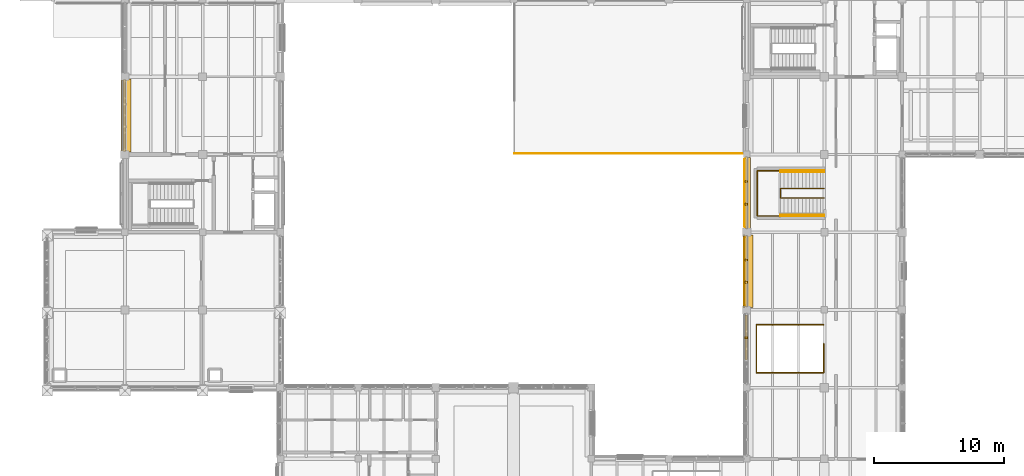
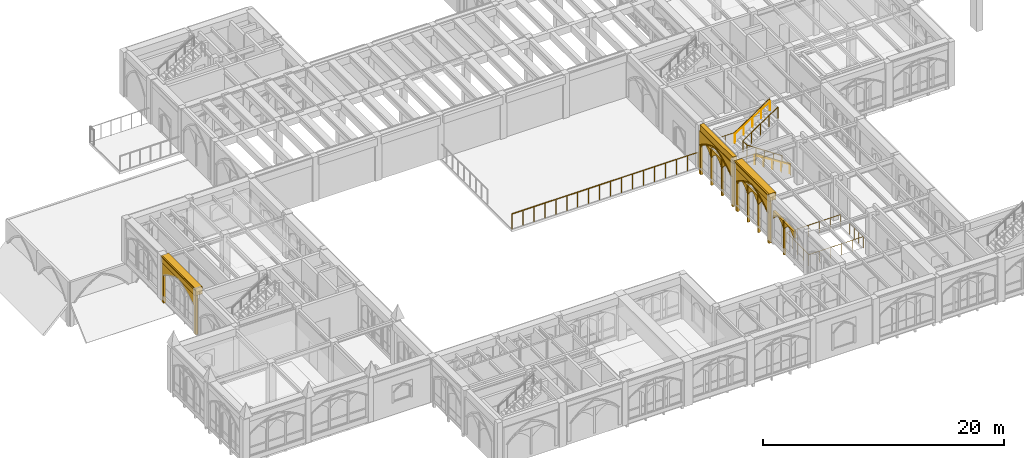
# One storey, part 95 of 127: 23 coverings, 8 railings.
"""IFC4 building model written with IfcOpenShell, lengths in metres."""

from ifc_helpers import new_model, si_unit, direction, frame, origin, origin_2d, place, context, subcontext, project, spatial, polyline, rectangle, circle, outline, extrude, material, type_object, element, save


model = new_model("IFC4")

# Units and contexts
model_context = context("Model", 3, precision=1e-05, world=origin(), true_north=direction((0.0, 1.0)))
body_context = subcontext(model_context, "Body", "Model", "MODEL_VIEW")
ifc_project = project(units=[si_unit("LENGTHUNIT", "METRE"), si_unit("AREAUNIT", "SQUARE_METRE"), si_unit("VOLUMEUNIT", "CUBIC_METRE"), si_unit("PLANEANGLEUNIT", "RADIAN"), si_unit("MASSUNIT", "GRAM", prefix="KILO")], contexts=[model_context])

# Site, building, storey
site_placement = place(None, origin())
site = spatial("IfcSite", under=ifc_project, at=site_placement, CompositionType="ELEMENT")
building_placement = place(site_placement, origin())
building = spatial("IfcBuilding", under=site, at=building_placement, Name="Cumevento Cable Car Station", CompositionType="ELEMENT")
storey_placement = place(building_placement, frame((0.0, 0.0, 4.5)))
storey = spatial("IfcBuildingStorey", under=building, at=storey_placement, Name="L02", CompositionType="ELEMENT", Elevation=4.5)

# Railings
ifc_material_1 = material(Name="Painted Galvanised Architectural Steel", Category="steel")
railing_type_1 = type_object("IfcRailingType", Name="Stair Guardrail GR-S115", PredefinedType="GUARDRAIL", material=ifc_material_1)
railing_1_placement = place(storey_placement, frame((63.949951171875, 18.389892578125, 0.0)))
element("IfcRailing", 1, at=railing_1_placement, inside=storey, type_object=railing_type_1, Name="Stairwell Opening Rim Guard ST-09 L02", PredefinedType="GUARDRAIL", context=body_context, shape_type="SweptSolid", body=[
    extrude(circle(Radius=0.02392578125, at=origin_2d()), frame((0.0, 0.0, 1.1259765625), z_axis=(0.0, -1.0, 0.0), x_axis=(1.0, 0.0, 0.0)), (0.0, 0.0, 1.0), 2.239990234375),
    extrude(circle(Radius=0.02392578125, at=origin_2d()), frame((0.0, -2.239990234375, 1.1259765625), z_axis=(-1.0, 0.0, 0.0), x_axis=(0.0, -1.0, 0.0)), (0.0, 0.0, 1.0), 5.199951171875),
    extrude(circle(Radius=0.02392578125, at=origin_2d()), frame((-5.199951171875, -2.239990234375, 1.1259765625), z_axis=(0.0, 1.0, 0.0), x_axis=(-1.0, 0.0, 0.0)), (0.0, 0.0, 1.0), 3.7001953125),
    extrude(circle(Radius=0.02392578125, at=origin_2d()), frame((-5.199951171875, 1.460205078125, 1.1259765625), z_axis=(1.0, 0.0, 0.0), x_axis=(0.0, 1.0, 0.0)), (0.0, 0.0, 1.0), 5.199951171875),
    extrude(circle(Radius=0.02001953125, at=origin_2d()), origin(), (0.0, 0.0, 1.0), 1.101806640625),
    extrude(circle(Radius=0.02001953125, at=origin_2d()), frame((0.0, -0.74658203125, 0.0)), (0.0, 0.0, 1.0), 1.101806640625),
    extrude(circle(Radius=0.02001953125, at=origin_2d()), frame((0.0, -1.493408203125, 0.0)), (0.0, 0.0, 1.0), 1.101806640625),
    extrude(circle(Radius=0.02001953125, at=origin_2d()), frame((0.0, -2.239990234375, 0.0)), (0.0, 0.0, 1.0), 1.101806640625),
    extrude(circle(Radius=0.02001953125, at=origin_2d()), frame((-1.0400390625, -2.239990234375, 0.0)), (0.0, 0.0, 1.0), 1.101806640625),
    extrude(circle(Radius=0.02001953125, at=origin_2d()), frame((-2.080078125, -2.239990234375, 0.0)), (0.0, 0.0, 1.0), 1.101806640625),
    extrude(circle(Radius=0.02001953125, at=origin_2d()), frame((-3.119873046875, -2.239990234375, 0.0)), (0.0, 0.0, 1.0), 1.101806640625),
    extrude(circle(Radius=0.02001953125, at=origin_2d()), frame((-4.159912109375, -2.239990234375, 0.0)), (0.0, 0.0, 1.0), 1.101806640625),
    extrude(circle(Radius=0.02001953125, at=origin_2d()), frame((-5.199951171875, -2.239990234375, 0.0)), (0.0, 0.0, 1.0), 1.101806640625),
    extrude(circle(Radius=0.02001953125, at=origin_2d()), frame((-5.199951171875, -1.31494140625, 0.0)), (0.0, 0.0, 1.0), 1.101806640625),
    extrude(circle(Radius=0.02001953125, at=origin_2d()), frame((-5.199951171875, -0.389892578125, 0.0)), (0.0, 0.0, 1.0), 1.101806640625),
    extrude(circle(Radius=0.02001953125, at=origin_2d()), frame((-5.199951171875, 0.53515625, 0.0)), (0.0, 0.0, 1.0), 1.101806640625),
    extrude(circle(Radius=0.02001953125, at=origin_2d()), frame((-5.199951171875, 1.460205078125, 0.0)), (0.0, 0.0, 1.0), 1.101806640625),
    extrude(circle(Radius=0.02001953125, at=origin_2d()), frame((-4.159912109375, 1.460205078125, 0.0)), (0.0, 0.0, 1.0), 1.101806640625),
    extrude(circle(Radius=0.02001953125, at=origin_2d()), frame((-3.119873046875, 1.460205078125, 0.0)), (0.0, 0.0, 1.0), 1.101806640625),
    extrude(circle(Radius=0.02001953125, at=origin_2d()), frame((-2.080078125, 1.460205078125, 0.0)), (0.0, 0.0, 1.0), 1.101806640625),
    extrude(circle(Radius=0.02001953125, at=origin_2d()), frame((-1.0400390625, 1.460205078125, 0.0)), (0.0, 0.0, 1.0), 1.101806640625),
    extrude(circle(Radius=0.02001953125, at=origin_2d()), frame((0.0, 1.460205078125, 0.0)), (0.0, 0.0, 1.0), 1.101806640625),
])
railing_2_placement = place(storey_placement, frame((63.97998046875, 29.639892578125, 0.0)))
element("IfcRailing", 2, at=railing_2_placement, inside=storey, type_object=railing_type_1, Name="Stair Well Inner Guardrail ST-10", PredefinedType="GUARDRAIL", context=body_context, shape_type="SweptSolid", body=[
    extrude(circle(Radius=0.02392578125, at=origin_2d()), frame((0.0, 0.0, 1.1259765625), z_axis=(-0.830896709279, 0.0, 0.556426687452), x_axis=(0.0, -1.0, 0.0)), (0.0, 0.0, 1.0), 4.043701171875),
    extrude(circle(Radius=0.02392578125, at=origin_2d()), frame((-3.35986328125, 0.0, 3.3759765625), z_axis=(0.0, 1.0, 0.0), x_axis=(-1.0, 0.0, 0.0)), (0.0, 0.0, 1.0), 0.72021484375),
    extrude(circle(Radius=0.02392578125, at=origin_2d()), frame((-3.35986328125, 0.72021484375, 3.3759765625), z_axis=(0.830896709279, 0.0, 0.556426687452), x_axis=(0.0, 1.0, 0.0)), (0.0, 0.0, 1.0), 4.043701171875),
    extrude(circle(Radius=0.02001953125, at=origin_2d()), origin(), (0.0, 0.0, 1.0), 1.101806640625),
    extrude(circle(Radius=0.02001953125, at=origin_2d()), frame((-0.83984375, 0.0, 0.5625)), (0.0, 0.0, 1.0), 1.101806640625),
    extrude(circle(Radius=0.02001953125, at=origin_2d()), frame((-1.679931640625, 0.0, 1.125)), (0.0, 0.0, 1.0), 1.101806640625),
    extrude(circle(Radius=0.02001953125, at=origin_2d()), frame((-2.52001953125, 0.0, 1.6875)), (0.0, 0.0, 1.0), 1.101806640625),
    extrude(circle(Radius=0.02001953125, at=origin_2d()), frame((-3.35986328125, 0.0, 2.25)), (0.0, 0.0, 1.0), 1.101806640625),
    extrude(circle(Radius=0.02001953125, at=origin_2d()), frame((-3.35986328125, 0.72021484375, 2.25)), (0.0, 0.0, 1.0), 1.101806640625),
    extrude(circle(Radius=0.02001953125, at=origin_2d()), frame((-2.52001953125, 0.72021484375, 2.8125)), (0.0, 0.0, 1.0), 1.101806640625),
    extrude(circle(Radius=0.02001953125, at=origin_2d()), frame((-1.679931640625, 0.72021484375, 3.375)), (0.0, 0.0, 1.0), 1.101806640625),
    extrude(circle(Radius=0.02001953125, at=origin_2d()), frame((-0.83984375, 0.72021484375, 3.9375)), (0.0, 0.0, 1.0), 1.101806640625),
    extrude(circle(Radius=0.02001953125, at=origin_2d()), frame((0.0, 0.72021484375, 4.5)), (0.0, 0.0, 1.0), 1.101806640625),
])
railing_3_placement = place(storey_placement, frame((60.6201171875, 28.260009765625, 2.25)))
element("IfcRailing", 3, at=railing_3_placement, inside=storey, type_object=railing_type_1, Name="Stair Half-Landing Guardrail ST-10", PredefinedType="GUARDRAIL", context=body_context, shape_type="SweptSolid", body=[
    extrude(circle(Radius=0.02392578125, at=origin_2d()), frame((0.0, 0.0, 1.1259765625), z_axis=(-1.0, 0.0, 0.0), x_axis=(0.0, -1.0, 0.0)), (0.0, 0.0, 1.0), 1.800048828125),
    extrude(circle(Radius=0.02392578125, at=origin_2d()), frame((-1.800048828125, 0.0, 1.1259765625), z_axis=(0.0, 1.0, 0.0), x_axis=(-1.0, 0.0, 0.0)), (0.0, 0.0, 1.0), 3.47998046875),
    extrude(circle(Radius=0.02392578125, at=origin_2d()), frame((-1.800048828125, 3.47998046875, 1.1259765625), z_axis=(1.0, 0.0, 0.0), x_axis=(0.0, 1.0, 0.0)), (0.0, 0.0, 1.0), 1.800048828125),
    extrude(circle(Radius=0.02001953125, at=origin_2d()), origin(), (0.0, 0.0, 1.0), 1.101806640625),
    extrude(circle(Radius=0.02001953125, at=origin_2d()), frame((-0.89990234375, 0.0, 0.0)), (0.0, 0.0, 1.0), 1.101806640625),
    extrude(circle(Radius=0.02001953125, at=origin_2d()), frame((-1.800048828125, 0.0, 0.0)), (0.0, 0.0, 1.0), 1.101806640625),
    extrude(circle(Radius=0.02001953125, at=origin_2d()), frame((-1.800048828125, 0.8701171875, 0.0)), (0.0, 0.0, 1.0), 1.101806640625),
    extrude(circle(Radius=0.02001953125, at=origin_2d()), frame((-1.800048828125, 1.739990234375, 0.0)), (0.0, 0.0, 1.0), 1.101806640625),
    extrude(circle(Radius=0.02001953125, at=origin_2d()), frame((-1.800048828125, 2.60986328125, 0.0)), (0.0, 0.0, 1.0), 1.101806640625),
    extrude(circle(Radius=0.02001953125, at=origin_2d()), frame((-1.800048828125, 3.47998046875, 0.0)), (0.0, 0.0, 1.0), 1.101806640625),
    extrude(circle(Radius=0.02001953125, at=origin_2d()), frame((-0.89990234375, 3.47998046875, 0.0)), (0.0, 0.0, 1.0), 1.101806640625),
    extrude(circle(Radius=0.02001953125, at=origin_2d()), frame((0.0, 3.47998046875, 0.0)), (0.0, 0.0, 1.0), 1.101806640625),
])
railing_4_placement = place(storey_placement, frame((63.97998046875, 28.260009765625, 0.0)))
element("IfcRailing", 4, at=railing_4_placement, inside=storey, type_object=railing_type_1, Name="Stair Outer Guardrail ST-10 F1", PredefinedType="GUARDRAIL", context=body_context, shape_type="SweptSolid", body=[
    extrude(circle(Radius=0.02392578125, at=origin_2d()), frame((0.0, 0.0, 1.1259765625), z_axis=(-0.830896709279, 0.0, 0.556426687452), x_axis=(0.0, -1.0, 0.0)), (0.0, 0.0, 1.0), 4.043701171875),
    extrude(circle(Radius=0.02001953125, at=origin_2d()), origin(), (0.0, 0.0, 1.0), 1.101806640625),
    extrude(circle(Radius=0.02001953125, at=origin_2d()), frame((-0.83984375, 0.0, 0.5625)), (0.0, 0.0, 1.0), 1.101806640625),
    extrude(circle(Radius=0.02001953125, at=origin_2d()), frame((-1.679931640625, 0.0, 1.125)), (0.0, 0.0, 1.0), 1.101806640625),
    extrude(circle(Radius=0.02001953125, at=origin_2d()), frame((-2.52001953125, 0.0, 1.6875)), (0.0, 0.0, 1.0), 1.101806640625),
    extrude(circle(Radius=0.02001953125, at=origin_2d()), frame((-3.35986328125, 0.0, 2.25)), (0.0, 0.0, 1.0), 1.101806640625),
])
railing_5_placement = place(storey_placement, frame((60.6201171875, 31.739990234375, 2.25)))
element("IfcRailing", 5, at=railing_5_placement, inside=storey, type_object=railing_type_1, Name="Stair Outer Guardrail ST-10 F2", PredefinedType="GUARDRAIL", context=body_context, shape_type="SweptSolid", body=[
    extrude(circle(Radius=0.02392578125, at=origin_2d()), frame((0.0, 0.0, 1.1259765625), z_axis=(0.830896709279, 0.0, 0.556426687452), x_axis=(0.0, 1.0, 0.0)), (0.0, 0.0, 1.0), 4.043701171875),
    extrude(circle(Radius=0.02001953125, at=origin_2d()), origin(), (0.0, 0.0, 1.0), 1.101806640625),
    extrude(circle(Radius=0.02001953125, at=origin_2d()), frame((0.83984375, 0.0, 0.5625)), (0.0, 0.0, 1.0), 1.101806640625),
    extrude(circle(Radius=0.02001953125, at=origin_2d()), frame((1.679931640625, 0.0, 1.125)), (0.0, 0.0, 1.0), 1.101806640625),
    extrude(circle(Radius=0.02001953125, at=origin_2d()), frame((2.52001953125, 0.0, 1.6875)), (0.0, 0.0, 1.0), 1.101806640625),
    extrude(circle(Radius=0.02001953125, at=origin_2d()), frame((3.35986328125, 0.0, 2.25)), (0.0, 0.0, 1.0), 1.101806640625),
])
ifc_material_2 = material(Name="Brushed Stainless Steel Handrail Tube", Category="steel")
railing_type_2 = type_object("IfcRailingType", Name="Stair Handrail HR-090", PredefinedType="HANDRAIL", material=ifc_material_2)
railing_6_placement = place(storey_placement, frame((63.97998046875, 28.340087890625, 0.17626953125)))
element("IfcRailing", 6, at=railing_6_placement, inside=storey, type_object=railing_type_2, Name="Stair Pitch Handrail ST-10 F1", PredefinedType="HANDRAIL", context=body_context, shape_type="SweptSolid", body=[
    extrude(circle(Radius=0.02099609375, at=origin_2d()), frame((0.0, 0.0, 0.87890625), z_axis=(-0.850606129759, 0.0, 0.525803396734), x_axis=(0.0, -1.0, 0.0)), (0.0, 0.0, 1.0), 3.949951171875),
    extrude(circle(Radius=0.01611328125, at=origin_2d()), origin(), (0.0, 0.0, 1.0), 0.85791015625),
    extrude(circle(Radius=0.01611328125, at=origin_2d()), frame((-0.83984375, 0.0, 0.519287109375)), (0.0, 0.0, 1.0), 0.85791015625),
    extrude(circle(Radius=0.01611328125, at=origin_2d()), frame((-1.679931640625, 0.0, 1.03857421875)), (0.0, 0.0, 1.0), 0.85791015625),
    extrude(circle(Radius=0.01611328125, at=origin_2d()), frame((-2.52001953125, 0.0, 1.5576171875)), (0.0, 0.0, 1.0), 0.85791015625),
    extrude(circle(Radius=0.01611328125, at=origin_2d()), frame((-3.35986328125, 0.0, 2.076904296875)), (0.0, 0.0, 1.0), 0.85791015625),
])
railing_7_placement = place(storey_placement, frame((60.6201171875, 31.659912109375, 2.42626953125)))
element("IfcRailing", 7, at=railing_7_placement, inside=storey, type_object=railing_type_2, Name="Stair Pitch Handrail ST-10 F2", PredefinedType="HANDRAIL", context=body_context, shape_type="SweptSolid", body=[
    extrude(circle(Radius=0.02099609375, at=origin_2d()), frame((0.0, 0.0, 0.87890625), z_axis=(0.850606129759, 0.0, 0.525803396734), x_axis=(0.0, 1.0, 0.0)), (0.0, 0.0, 1.0), 3.949951171875),
    extrude(circle(Radius=0.01611328125, at=origin_2d()), origin(), (0.0, 0.0, 1.0), 0.85791015625),
    extrude(circle(Radius=0.01611328125, at=origin_2d()), frame((0.83984375, 0.0, 0.519287109375)), (0.0, 0.0, 1.0), 0.85791015625),
    extrude(circle(Radius=0.01611328125, at=origin_2d()), frame((1.679931640625, 0.0, 1.03857421875)), (0.0, 0.0, 1.0), 0.85791015625),
    extrude(circle(Radius=0.01611328125, at=origin_2d()), frame((2.52001953125, 0.0, 1.5576171875)), (0.0, 0.0, 1.0), 0.85791015625),
    extrude(circle(Radius=0.01611328125, at=origin_2d()), frame((3.35986328125, 0.0, 2.076904296875)), (0.0, 0.0, 1.0), 0.85791015625),
])
ifc_material_3 = material(Name="Painted Galvanised Architectural Steel", Category="steel")
railing_type_3 = type_object("IfcRailingType", Name="Terrace Guardrail GR-T155 1550", PredefinedType="GUARDRAIL", material=ifc_material_3)
railing_8_placement = place(storey_placement, frame((40.080078125, 33.080078125, 0.0)))
element("IfcRailing", 8, at=railing_8_placement, inside=storey, type_object=railing_type_3, Name="Panoramic Terrace Guardrail GR-T155 #12", PredefinedType="GUARDRAIL", context=body_context, shape_type="SweptSolid", body=[
    extrude(circle(Radius=0.02685546875, at=origin_2d()), frame((0.0, 0.0, 1.52294921875), z_axis=(1.0, 0.0, 0.0), x_axis=(0.0, 1.0, 0.0)), (0.0, 0.0, 1.0), 17.83984375),
    extrude(circle(Radius=0.02099609375, at=origin_2d()), origin(), (0.0, 0.0, 1.0), 1.49609375),
    extrude(circle(Radius=0.02099609375, at=origin_2d()), frame((1.04931640625, 0.0, 0.0)), (0.0, 0.0, 1.0), 1.49609375),
    extrude(circle(Radius=0.02099609375, at=origin_2d()), frame((2.098876953125, 0.0, 0.0)), (0.0, 0.0, 1.0), 1.49609375),
    extrude(circle(Radius=0.02099609375, at=origin_2d()), frame((3.148193359375, 0.0, 0.0)), (0.0, 0.0, 1.0), 1.49609375),
    extrude(circle(Radius=0.02099609375, at=origin_2d()), frame((4.197509765625, 0.0, 0.0)), (0.0, 0.0, 1.0), 1.49609375),
    extrude(circle(Radius=0.02099609375, at=origin_2d()), frame((5.2470703125, 0.0, 0.0)), (0.0, 0.0, 1.0), 1.49609375),
    extrude(circle(Radius=0.02099609375, at=origin_2d()), frame((6.29638671875, 0.0, 0.0)), (0.0, 0.0, 1.0), 1.49609375),
    extrude(circle(Radius=0.02099609375, at=origin_2d()), frame((7.345703125, 0.0, 0.0)), (0.0, 0.0, 1.0), 1.49609375),
    extrude(circle(Radius=0.02099609375, at=origin_2d()), frame((8.395263671875, 0.0, 0.0)), (0.0, 0.0, 1.0), 1.49609375),
    extrude(circle(Radius=0.02099609375, at=origin_2d()), frame((9.444580078125, 0.0, 0.0)), (0.0, 0.0, 1.0), 1.49609375),
    extrude(circle(Radius=0.02099609375, at=origin_2d()), frame((10.494140625, 0.0, 0.0)), (0.0, 0.0, 1.0), 1.49609375),
    extrude(circle(Radius=0.02099609375, at=origin_2d()), frame((11.54345703125, 0.0, 0.0)), (0.0, 0.0, 1.0), 1.49609375),
    extrude(circle(Radius=0.02099609375, at=origin_2d()), frame((12.5927734375, 0.0, 0.0)), (0.0, 0.0, 1.0), 1.49609375),
    extrude(circle(Radius=0.02099609375, at=origin_2d()), frame((13.642333984375, 0.0, 0.0)), (0.0, 0.0, 1.0), 1.49609375),
    extrude(circle(Radius=0.02099609375, at=origin_2d()), frame((14.691650390625, 0.0, 0.0)), (0.0, 0.0, 1.0), 1.49609375),
    extrude(circle(Radius=0.02099609375, at=origin_2d()), frame((15.740966796875, 0.0, 0.0)), (0.0, 0.0, 1.0), 1.49609375),
    extrude(circle(Radius=0.02099609375, at=origin_2d()), frame((16.79052734375, 0.0, 0.0)), (0.0, 0.0, 1.0), 1.49609375),
    extrude(circle(Radius=0.02099609375, at=origin_2d()), frame((17.83984375, 0.0, 0.0)), (0.0, 0.0, 1.0), 1.49609375),
])

# Coverings
ifc_material_4 = material(Name="Gnaisse Facoidal Stone Ashlar 85 MPa", Category="masonry")
covering_type = type_object("IfcCoveringType", Name="Gnaisse Ashlar Cladding CV-CL01", PredefinedType="CLADDING", material=ifc_material_4)
covering_1_placement = place(storey_placement, frame((58.14990234375, 23.987548828125, 3.77294921875), z_axis=(0.0, 0.0, 1.0), x_axis=(0.0, 1.0, 0.0)))
element("IfcCovering", 9, at=covering_1_placement, inside=storey, type_object=covering_type, Name="Gothic Stone Spandrel Stringcourse sc:0321", PredefinedType="CLADDING", context=body_context, shape_type="SweptSolid", body=[
    extrude(rectangle(XDim=5.614990234375, YDim=0.659912109375, at=origin_2d()), origin(), (0.0, 0.0, 1.0), 0.7470703125),
])
covering_2_placement = place(storey_placement, frame((57.79248046875, 23.987548828125, 4.39013671875), z_axis=(0.0, 0.0, 1.0), x_axis=(0.0, 1.0, 0.0)))
element("IfcCovering", 10, at=covering_2_placement, inside=storey, type_object=covering_type, Name="Gothic Cornice Dripstone Lip sc:0321", PredefinedType="CLADDING", context=body_context, shape_type="SweptSolid", body=[
    extrude(rectangle(XDim=5.655029296875, YDim=0.114990234375, at=origin_2d()), origin(), (0.0, 0.0, 1.0), 0.1298828125),
])
covering_3_placement = place(storey_placement, frame((58.090087890625, 30.03759765625, 3.77294921875), z_axis=(0.0, 0.0, 1.0), x_axis=(0.0, 1.0, 0.0)))
element("IfcCovering", 11, at=covering_3_placement, inside=storey, type_object=covering_type, Name="Gothic Stone Spandrel Stringcourse sc:0322", PredefinedType="CLADDING", context=body_context, shape_type="SweptSolid", body=[
    extrude(rectangle(XDim=5.485107421875, YDim=0.3798828125, at=origin_2d()), origin(), (0.0, 0.0, 1.0), 0.7470703125),
])
covering_4_placement = place(storey_placement, frame((10.14990234375, 36.012451171875, 3.718017578125), z_axis=(0.0, 0.0, 1.0), x_axis=(0.0, 1.0, 0.0)))
element("IfcCovering", 12, at=covering_4_placement, inside=storey, type_object=covering_type, Name="Gothic Stone Spandrel Stringcourse sc:0346", PredefinedType="CLADDING", context=body_context, shape_type="SweptSolid", body=[
    extrude(rectangle(XDim=5.614990234375, YDim=0.659912109375, at=origin_2d()), origin(), (0.0, 0.0, 1.0), 0.7470703125),
])
covering_5_placement = place(storey_placement, frame((9.79248046875, 36.012451171875, 4.3349609375), z_axis=(0.0, 0.0, 1.0), x_axis=(0.0, 1.0, 0.0)))
element("IfcCovering", 13, at=covering_5_placement, inside=storey, type_object=covering_type, Name="Gothic Cornice Dripstone Lip sc:0346", PredefinedType="CLADDING", context=body_context, shape_type="SweptSolid", body=[
    extrude(rectangle(XDim=5.655029296875, YDim=0.114990234375, at=origin_2d()), origin(), (0.0, 0.0, 1.0), 0.1298828125),
])
covering_6_placement = place(storey_placement, frame((58.0, 15.27490234375, -0.219970703125), z_axis=(0.0, 0.0, 1.0), x_axis=(0.0, 1.0, 0.0)))
element("IfcCovering", 14, at=covering_6_placement, inside=storey, type_object=covering_type, Name="Gothic Bifora Stone Colonnette cw_ogival:0038 #2", PredefinedType="CLADDING", context=body_context, shape_type="SweptSolid", body=[
    extrude(outline(polyline([(3.513427734375, -0.02001953125), (3.663330078125, -0.02001953125), (3.663330078125, 3.40771484375), (3.513427734375, 3.40771484375), (3.513427734375, -0.02001953125)])), frame((0.0, 0.1279296875, 0.0), z_axis=(0.0, -1.0, 0.0), x_axis=(1.0, 0.0, 0.0)), (0.0, 0.0, 1.0), 0.205078125),
])
for number, where, z_axis, x_axis, name in (
    (15, (58.0, 17.15673828125, 2.438720703125), (0.0, 0.0, 1.0), (0.0, 1.0, 0.0), "Gothic Ogival Pointed-Arch Stone Spandrel cw_ogival:0038:sub:1"),
    (16, (58.0, 18.908447265625, 2.438720703125), (0.0, 0.0, 1.0), (0.0, 1.0, 0.0), "Gothic Ogival Pointed-Arch Stone Spandrel cw_ogival:0038:sub:2"),
):
    element("IfcCovering", number, at=place(storey_placement, frame(where, z_axis=z_axis, x_axis=x_axis)), inside=storey, type_object=covering_type, Name=name, PredefinedType="CLADDING", context=body_context, shape_type="SweptSolid", body=[
        extrude(outline(polyline([(-0.02001953125, 0.0), (-0.02001953125, 0.7490234375), (1.681640625, 0.7490234375), (1.681640625, 0.0), (1.62158203125, 0.0), (1.519287109375, 0.136962890625), (1.4033203125, 0.262939453125), (1.275146484375, 0.3759765625), (1.135986328125, 0.4755859375), (0.9873046875, 0.56005859375), (0.830810546875, 0.62890625), (0.67431640625, 0.56005859375), (0.525634765625, 0.4755859375), (0.386474609375, 0.3759765625), (0.25830078125, 0.262939453125), (0.142333984375, 0.136962890625), (0.0400390625, 0.0), (-0.02001953125, 0.0)])), frame((0.0, 0.1240234375, 0.0), z_axis=(0.0, -1.0, 0.0), x_axis=(1.0, 0.0, 0.0)), (0.0, 0.0, 1.0), 0.199951171875),
    ])
placement_1 = place(storey_placement, frame((58.0, 21.300048828125, -0.52001953125), z_axis=(0.0, 0.0, 1.0), x_axis=(0.0, 1.0, 0.0)))
element("IfcCovering", 17, at=placement_1, inside=storey, type_object=covering_type, Name="Gothic Ogival Pointed-Arch Stone Spandrel cw_ogival:0040", PredefinedType="CLADDING", context=body_context, shape_type="SweptSolid", body=[
    extrude(outline(polyline([(-0.080078125, 0.0), (-0.080078125, 4.43310546875), (5.455078125, 4.43310546875), (5.455078125, 0.0), (5.215087890625, 0.0), (5.215087890625, 3.03076171875), (4.928955078125, 3.236328125), (4.632568359375, 3.4267578125), (4.326904296875, 3.60205078125), (4.012939453125, 3.761474609375), (3.69091796875, 3.904541015625), (3.3623046875, 4.031005859375), (3.02734375, 4.140625), (2.6875, 4.233154296875), (2.34765625, 4.140625), (2.0126953125, 4.031005859375), (1.68408203125, 3.904541015625), (1.362060546875, 3.761474609375), (1.048095703125, 3.60205078125), (0.742431640625, 3.4267578125), (0.446044921875, 3.236328125), (0.159912109375, 3.03076171875), (0.159912109375, 0.0), (-0.080078125, 0.0)])), frame((0.0, 0.139892578125, 0.0), z_axis=(0.0, -1.0, 0.0), x_axis=(1.0, 0.0, 0.0)), (0.0, 0.0, 1.0), 0.219970703125),
])
covering_8_placement = place(storey_placement, frame((58.0, 21.300048828125, 2.5107421875), z_axis=(0.0, 0.0, 1.0), x_axis=(0.0, 1.0, 0.0)))
element("IfcCovering", 18, at=covering_8_placement, inside=storey, type_object=covering_type, Name="Gothic Pointed Archivolt Hood Moulding cw_ogival:0040", PredefinedType="CLADDING", context=body_context, shape_type="SweptSolid", body=[
    extrude(outline(polyline([(0.159912109375, 0.0), (0.446044921875, 0.20556640625), (0.742431640625, 0.39599609375), (1.048095703125, 0.5712890625), (1.362060546875, 0.730712890625), (1.68408203125, 0.873779296875), (2.0126953125, 1.000244140625), (2.34765625, 1.10986328125), (2.6875, 1.202392578125), (3.02734375, 1.10986328125), (3.3623046875, 1.000244140625), (3.69091796875, 0.873779296875), (4.012939453125, 0.730712890625), (4.326904296875, 0.5712890625), (4.632568359375, 0.39599609375), (4.928955078125, 0.20556640625), (5.215087890625, 0.0), (5.324951171875, 0.0), (5.030517578125, 0.228271484375), (4.723876953125, 0.440185546875), (4.406494140625, 0.63525390625), (4.078857421875, 0.81298828125), (3.7421875, 0.97265625), (3.3974609375, 1.114013671875), (3.045654296875, 1.236572265625), (2.6875, 1.33984375), (2.329345703125, 1.236572265625), (1.9775390625, 1.114013671875), (1.6328125, 0.97265625), (1.296142578125, 0.81298828125), (0.968505859375, 0.63525390625), (0.651123046875, 0.440185546875), (0.344482421875, 0.228271484375), (0.050048828125, 0.0), (0.159912109375, 0.0)])), frame((0.0, 0.181884765625, 0.0), z_axis=(0.0, -1.0, 0.0), x_axis=(1.0, 0.0, 0.0)), (0.0, 0.0, 1.0), 0.06689453125),
])
element("IfcCovering", 19, at=placement_1, inside=storey, type_object=covering_type, Name="Gothic Bifora Stone Colonnette cw_ogival:0040 #1", PredefinedType="CLADDING", context=body_context, shape_type="SweptSolid", body=[
    extrude(outline(polyline([(1.7451171875, -0.02001953125), (1.89501953125, -0.02001953125), (1.89501953125, 3.656005859375), (1.7451171875, 3.656005859375), (1.7451171875, -0.02001953125)])), frame((0.0, 0.1279296875, 0.0), z_axis=(0.0, -1.0, 0.0), x_axis=(1.0, 0.0, 0.0)), (0.0, 0.0, 1.0), 0.205078125),
])
element("IfcCovering", 20, at=placement_1, inside=storey, type_object=covering_type, Name="Gothic Bifora Stone Colonnette cw_ogival:0040 #2", PredefinedType="CLADDING", context=body_context, shape_type="SweptSolid", body=[
    extrude(outline(polyline([(3.47998046875, -0.02001953125), (3.6298828125, -0.02001953125), (3.6298828125, 3.656005859375), (3.47998046875, 3.656005859375), (3.47998046875, -0.02001953125)])), frame((0.0, 0.1279296875, 0.0), z_axis=(0.0, -1.0, 0.0), x_axis=(1.0, 0.0, 0.0)), (0.0, 0.0, 1.0), 0.205078125),
])
for number, where, z_axis, x_axis, name in (
    (21, (58.0, 21.429931640625, 2.330810546875), (0.0, 0.0, 1.0), (0.0, 1.0, 0.0), "Gothic Ogival Pointed-Arch Stone Spandrel cw_ogival:0040:sub:0"),
    (22, (58.0, 23.1650390625, 2.330810546875), (0.0, 0.0, 1.0), (0.0, 1.0, 0.0), "Gothic Ogival Pointed-Arch Stone Spandrel cw_ogival:0040:sub:1"),
    (23, (58.0, 24.89990234375, 2.330810546875), (0.0, 0.0, 1.0), (0.0, 1.0, 0.0), "Gothic Ogival Pointed-Arch Stone Spandrel cw_ogival:0040:sub:2"),
):
    element("IfcCovering", number, at=place(storey_placement, frame(where, z_axis=z_axis, x_axis=x_axis)), inside=storey, type_object=covering_type, Name=name, PredefinedType="CLADDING", context=body_context, shape_type="SweptSolid", body=[
        extrude(outline(polyline([(-0.02001953125, 0.0), (-0.02001953125, 0.80517578125), (1.6650390625, 0.80517578125), (1.6650390625, 0.0), (1.60498046875, 0.0), (1.509033203125, 0.14794921875), (1.397216796875, 0.284423828125), (1.27099609375, 0.407958984375), (1.132080078125, 0.5166015625), (0.98193359375, 0.609375), (0.822509765625, 0.685302734375), (0.6630859375, 0.609375), (0.512939453125, 0.5166015625), (0.3740234375, 0.407958984375), (0.247802734375, 0.284423828125), (0.135986328125, 0.14794921875), (0.0400390625, 0.0), (-0.02001953125, 0.0)])), frame((0.0, 0.1240234375, 0.0), z_axis=(0.0, -1.0, 0.0), x_axis=(1.0, 0.0, 0.0)), (0.0, 0.0, 1.0), 0.199951171875),
    ])
placement_2 = place(storey_placement, frame((58.0, 27.324951171875, -0.469970703125), z_axis=(0.0, 0.0, 1.0), x_axis=(0.0, 1.0, 0.0)))
element("IfcCovering", 24, at=placement_2, inside=storey, type_object=covering_type, Name="Gothic Ogival Pointed-Arch Stone Spandrel cw_ogival:0041", PredefinedType="CLADDING", context=body_context, shape_type="SweptSolid", body=[
    extrude(outline(polyline([(-0.080078125, 0.0), (-0.080078125, 4.383056640625), (5.5048828125, 4.383056640625), (5.5048828125, 0.0), (5.264892578125, 0.0), (5.264892578125, 2.998779296875), (4.974609375, 3.201416015625), (4.674560546875, 3.38916015625), (4.365478515625, 3.561767578125), (4.048095703125, 3.718994140625), (3.723388671875, 3.85986328125), (3.391845703125, 3.984375), (3.0546875, 4.09228515625), (2.71240234375, 4.18310546875), (2.370361328125, 4.09228515625), (2.033203125, 3.984375), (1.70166015625, 3.85986328125), (1.376953125, 3.718994140625), (1.0595703125, 3.561767578125), (0.75048828125, 3.38916015625), (0.450439453125, 3.201416015625), (0.159912109375, 2.998779296875), (0.159912109375, 0.0), (-0.080078125, 0.0)])), frame((0.0, 0.139892578125, 0.0), z_axis=(0.0, -1.0, 0.0), x_axis=(1.0, 0.0, 0.0)), (0.0, 0.0, 1.0), 0.219970703125),
])
covering_12_placement = place(storey_placement, frame((58.0, 27.324951171875, 2.52880859375), z_axis=(0.0, 0.0, 1.0), x_axis=(0.0, 1.0, 0.0)))
element("IfcCovering", 25, at=covering_12_placement, inside=storey, type_object=covering_type, Name="Gothic Pointed Archivolt Hood Moulding cw_ogival:0041", PredefinedType="CLADDING", context=body_context, shape_type="SweptSolid", body=[
    extrude(outline(polyline([(0.159912109375, 0.0), (0.450439453125, 0.20263671875), (0.75048828125, 0.390380859375), (1.0595703125, 0.56298828125), (1.376953125, 0.72021484375), (1.70166015625, 0.861083984375), (2.033203125, 0.985595703125), (2.370361328125, 1.093505859375), (2.71240234375, 1.184326171875), (3.0546875, 1.093505859375), (3.391845703125, 0.985595703125), (3.723388671875, 0.861083984375), (4.048095703125, 0.72021484375), (4.365478515625, 0.56298828125), (4.674560546875, 0.390380859375), (4.974609375, 0.20263671875), (5.264892578125, 0.0), (5.375, 0.0), (5.076171875, 0.225341796875), (4.765869140625, 0.434814453125), (4.44482421875, 0.627197265625), (4.114013671875, 0.802490234375), (3.774658203125, 0.9599609375), (3.427001953125, 1.099365234375), (3.07275390625, 1.219970703125), (2.71240234375, 1.32177734375), (2.352294921875, 1.219970703125), (1.998046875, 1.099365234375), (1.650390625, 0.9599609375), (1.31103515625, 0.802490234375), (0.980224609375, 0.627197265625), (0.6591796875, 0.434814453125), (0.348876953125, 0.225341796875), (0.050048828125, 0.0), (0.159912109375, 0.0)])), frame((0.0, 0.181884765625, 0.0), z_axis=(0.0, -1.0, 0.0), x_axis=(1.0, 0.0, 0.0)), (0.0, 0.0, 1.0), 0.06689453125),
])
element("IfcCovering", 26, at=placement_2, inside=storey, type_object=covering_type, Name="Gothic Bifora Stone Colonnette cw_ogival:0041 #1", PredefinedType="CLADDING", context=body_context, shape_type="SweptSolid", body=[
    extrude(outline(polyline([(1.76171875, -0.02001953125), (1.91162109375, -0.02001953125), (1.91162109375, 3.614501953125), (1.76171875, 3.614501953125), (1.76171875, -0.02001953125)])), frame((0.0, 0.1279296875, 0.0), z_axis=(0.0, -1.0, 0.0), x_axis=(1.0, 0.0, 0.0)), (0.0, 0.0, 1.0), 0.205078125),
])
element("IfcCovering", 27, at=placement_2, inside=storey, type_object=covering_type, Name="Gothic Bifora Stone Colonnette cw_ogival:0041 #2", PredefinedType="CLADDING", context=body_context, shape_type="SweptSolid", body=[
    extrude(outline(polyline([(3.513427734375, -0.02001953125), (3.663330078125, -0.02001953125), (3.663330078125, 3.614501953125), (3.513427734375, 3.614501953125), (3.513427734375, -0.02001953125)])), frame((0.0, 0.1279296875, 0.0), z_axis=(0.0, -1.0, 0.0), x_axis=(1.0, 0.0, 0.0)), (0.0, 0.0, 1.0), 0.205078125),
])
for number, where, z_axis, x_axis, name in (
    (28, (58.0, 27.455078125, 2.3486328125), (0.0, 0.0, 1.0), (0.0, 1.0, 0.0), "Gothic Ogival Pointed-Arch Stone Spandrel cw_ogival:0041:sub:0"),
    (29, (58.0, 29.206787109375, 2.3486328125), (0.0, 0.0, 1.0), (0.0, 1.0, 0.0), "Gothic Ogival Pointed-Arch Stone Spandrel cw_ogival:0041:sub:1"),
    (30, (58.0, 30.958251953125, 2.3486328125), (0.0, 0.0, 1.0), (0.0, 1.0, 0.0), "Gothic Ogival Pointed-Arch Stone Spandrel cw_ogival:0041:sub:2"),
):
    element("IfcCovering", number, at=place(storey_placement, frame(where, z_axis=z_axis, x_axis=x_axis)), inside=storey, type_object=covering_type, Name=name, PredefinedType="CLADDING", context=body_context, shape_type="SweptSolid", body=[
        extrude(outline(polyline([(-0.02001953125, 0.0), (-0.02001953125, 0.7958984375), (1.681640625, 0.7958984375), (1.681640625, 0.0), (1.62158203125, 0.0), (1.523193359375, 0.146240234375), (1.409423828125, 0.281005859375), (1.28173828125, 0.40283203125), (1.1416015625, 0.510009765625), (0.99072265625, 0.601318359375), (0.830810546875, 0.67578125), (0.6708984375, 0.601318359375), (0.52001953125, 0.510009765625), (0.3798828125, 0.40283203125), (0.252197265625, 0.281005859375), (0.138427734375, 0.146240234375), (0.0400390625, 0.0), (-0.02001953125, 0.0)])), frame((0.0, 0.1240234375, 0.0), z_axis=(0.0, -1.0, 0.0), x_axis=(1.0, 0.0, 0.0)), (0.0, 0.0, 1.0), 0.199951171875),
    ])
covering_15_placement = place(storey_placement, frame((10.0, 33.324951171875, -0.27001953125), z_axis=(0.0, 0.0, 1.0), x_axis=(0.0, 1.0, 0.0)))
element("IfcCovering", 31, at=covering_15_placement, inside=storey, type_object=covering_type, Name="Gothic Ogival Pointed-Arch Stone Spandrel cw_ogival:0053", PredefinedType="CLADDING", context=body_context, shape_type="SweptSolid", body=[
    extrude(outline(polyline([(-0.080078125, 0.0), (-0.080078125, 4.1279296875), (5.455078125, 4.1279296875), (5.455078125, 0.0), (5.215087890625, 0.0), (5.215087890625, 2.83544921875), (4.924072265625, 3.02294921875), (4.62451171875, 3.196533203125), (4.317138671875, 3.35595703125), (4.002685546875, 3.500732421875), (3.681640625, 3.630615234375), (3.355224609375, 3.7451171875), (3.0234375, 3.844482421875), (2.6875, 3.927978515625), (2.3515625, 3.844482421875), (2.019775390625, 3.7451171875), (1.693359375, 3.630615234375), (1.372314453125, 3.500732421875), (1.057861328125, 3.35595703125), (0.75048828125, 3.196533203125), (0.450927734375, 3.02294921875), (0.159912109375, 2.83544921875), (0.159912109375, 0.0), (-0.080078125, 0.0)])), frame((0.0, 0.139892578125, 0.0), z_axis=(0.0, -1.0, 0.0), x_axis=(1.0, 0.0, 0.0)), (0.0, 0.0, 1.0), 0.219970703125),
])

save(model, "model.ifc")
